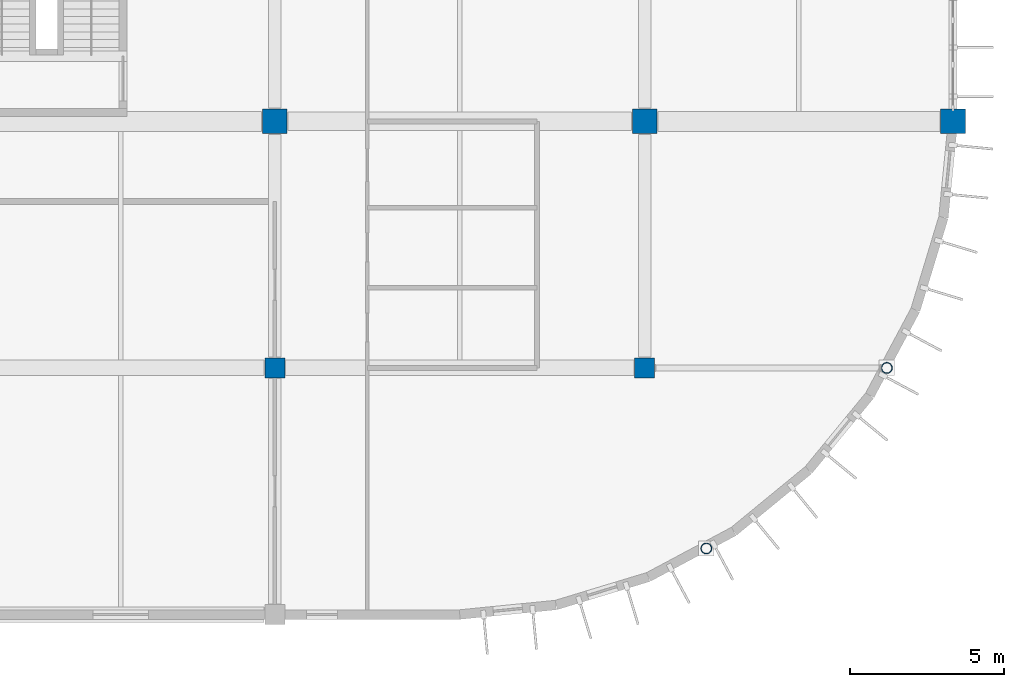
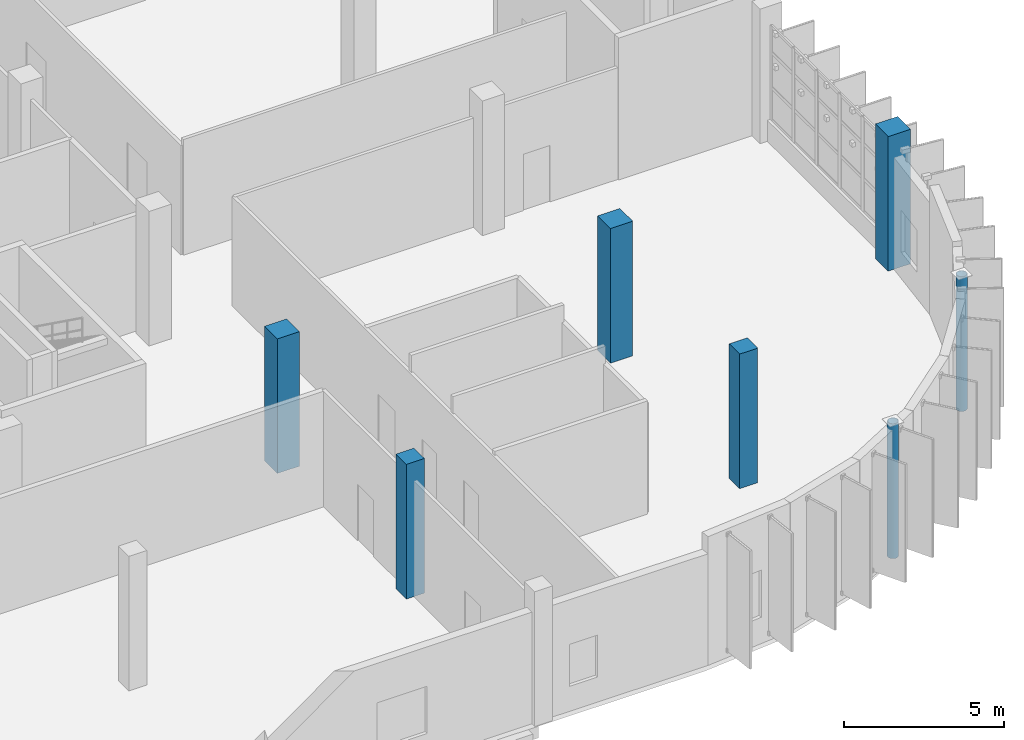
# One storey, part 10 of 103: 7 columns.
"""IFC4 building model written with IfcOpenShell, lengths in metres."""

from ifc_helpers import new_model, si_unit, direction, frame, origin, origin_2d, place, context, subcontext, project, spatial, rectangle, hollow_circle, extrude, material, material_profile, profile_set, type_object, element, save


model = new_model("IFC4")

# Units and contexts
model_context = context("Model", 3, precision=1e-05, world=origin(), true_north=direction((0.0, 1.0)))
body_context = subcontext(model_context, "Body", "Model", "MODEL_VIEW")
ifc_project = project(units=[si_unit("LENGTHUNIT", "METRE"), si_unit("AREAUNIT", "SQUARE_METRE"), si_unit("VOLUMEUNIT", "CUBIC_METRE"), si_unit("PLANEANGLEUNIT", "RADIAN"), si_unit("MASSUNIT", "GRAM", prefix="KILO")], contexts=[model_context])

# Site, building, storey
site_placement = place(None, origin())
site = spatial("IfcSite", under=ifc_project, at=site_placement, CompositionType="ELEMENT")
building_placement = place(site_placement, origin())
building = spatial("IfcBuilding", under=site, at=building_placement, Name="Drelvana Railside Aquatics Centre", CompositionType="ELEMENT")
storey_placement = place(building_placement, origin())
storey = spatial("IfcBuildingStorey", under=building, at=storey_placement, Name="L00", CompositionType="ELEMENT", Elevation=0.0)

# Columns
ifc_material_1 = material(Name="Concrete C40/50", Category="concrete")
ifc_material_profile_1 = material_profile(ifc_material_1, rectangle(XDim=0.64990234375, YDim=0.64990234375, at=origin_2d()), Name="RC 650x650")
ifc_profile_set_1 = profile_set([ifc_material_profile_1], Name="Concrete C40/50")
column_type_1 = type_object("IfcColumnType", Name="STR-COL-RC-650x650", PredefinedType="COLUMN", material=ifc_profile_set_1)
for number, where, z_axis, x_axis, name in (
    (1, (162.0, 16.0, 0.0), (0.0, 0.0, 1.0), (1.0, 0.0, 0.0), "Column C-05 (L00)"),
    (2, (174.0, 16.0, 0.0), (0.0, 0.0, 1.0), (1.0, 0.0, 0.0), "Column C-05 (L00)"),
):
    element("IfcColumn", number, at=place(storey_placement, frame(where, z_axis=z_axis, x_axis=x_axis)), inside=storey, type_object=column_type_1, Name=name, PredefinedType="COLUMN", context=body_context, shape_type="SweptSolid", body=[
        extrude(rectangle(XDim=0.64990234375, YDim=0.64990234375, at=origin_2d()), origin(), (0.0, 0.0, 1.0), 5.125),
    ])
ifc_material_profile_2 = material_profile(ifc_material_1, rectangle(XDim=0.800048828125, YDim=0.800048828125, at=origin_2d()), Name="RC 800x800")
ifc_profile_set_2 = profile_set([ifc_material_profile_2], Name="Concrete C40/50")
column_type_2 = type_object("IfcColumnType", Name="STR-COL-RC-800x800", PredefinedType="COLUMN", material=ifc_profile_set_2)
for number, where, z_axis, x_axis, name in (
    (3, (162.0, 24.0, 0.0), (0.0, 0.0, 1.0), (1.0, 0.0, 0.0), "Column C-08 (L00)"),
    (4, (174.0, 24.0, 0.0), (0.0, 0.0, 1.0), (1.0, 0.0, 0.0), "Column C-08 (L00)"),
    (5, (184.0, 24.0, 0.0), (0.0, 0.0, 1.0), (1.0, 0.0, 0.0), "Column C-08 (L00)"),
):
    element("IfcColumn", number, at=place(storey_placement, frame(where, z_axis=z_axis, x_axis=x_axis)), inside=storey, type_object=column_type_2, Name=name, PredefinedType="COLUMN", context=body_context, shape_type="SweptSolid", body=[
        extrude(rectangle(XDim=0.800048828125, YDim=0.800048828125, at=origin_2d()), origin(), (0.0, 0.0, 1.0), 5.125),
    ])
ifc_material_2 = material(Name="Structural steel S355", Category="steel")
ifc_material_profile_3 = material_profile(ifc_material_2, hollow_circle(Radius=0.177734375, WallThickness=0.01611328125, at=origin_2d()), Name="CHS 355.6x16")
ifc_profile_set_3 = profile_set([ifc_material_profile_3], Name="Structural steel S355")
column_type_3 = type_object("IfcColumnType", Name="STR-SCOL-CHS-355.6x16", PredefinedType="COLUMN", material=ifc_profile_set_3)
for number, where, z_axis, x_axis, name in (
    (6, (176.0, 10.1435546875, 0.0), (0.0, 0.0, 1.0), (1.0, 0.0, 0.0), "Column SC-05 (L00)"),
    (7, (181.8564453125, 16.0, 0.0), (0.0, 0.0, 1.0), (1.0, 0.0, 0.0), "Column SC-05 (L00)"),
):
    element("IfcColumn", number, at=place(storey_placement, frame(where, z_axis=z_axis, x_axis=x_axis)), inside=storey, type_object=column_type_3, Name=name, PredefinedType="COLUMN", context=body_context, shape_type="SweptSolid", body=[
        extrude(hollow_circle(Radius=0.177734375, WallThickness=0.01611328125, at=origin_2d()), origin(), (0.0, 0.0, 1.0), 5.125),
    ])

save(model, "model.ifc")
